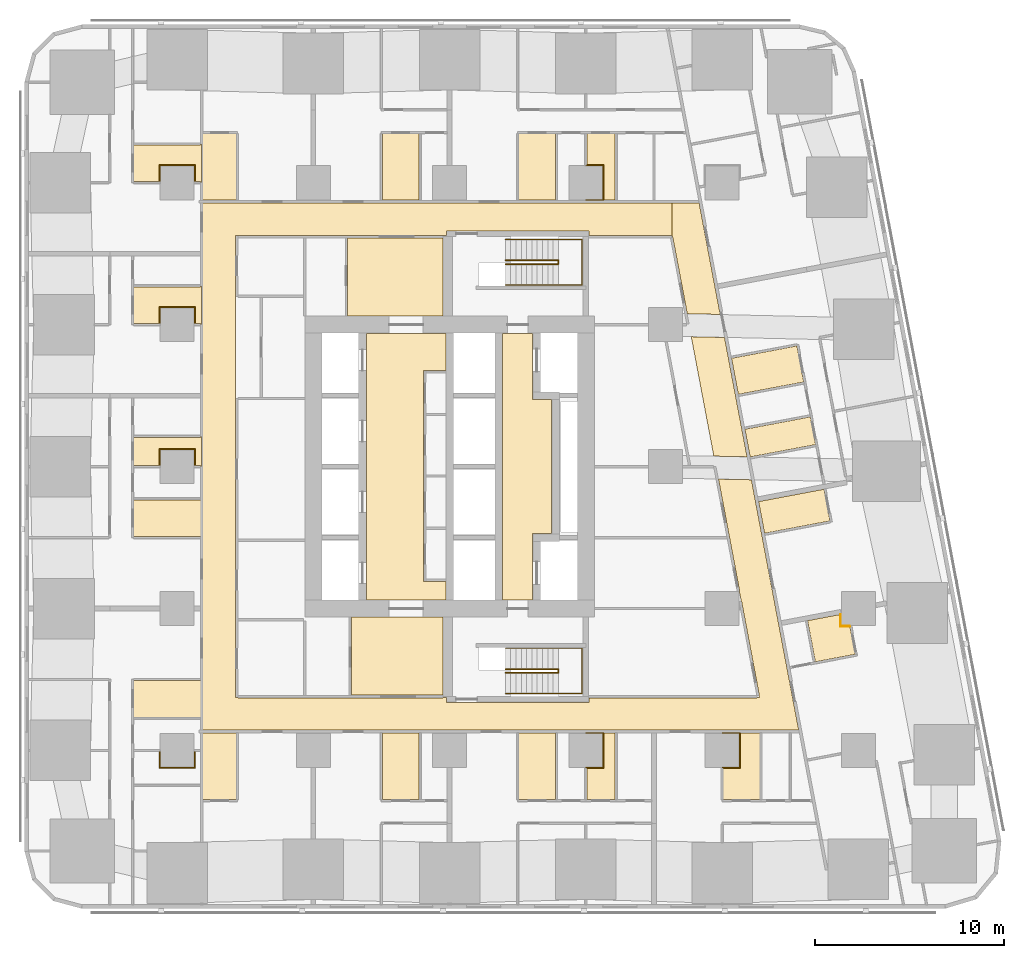
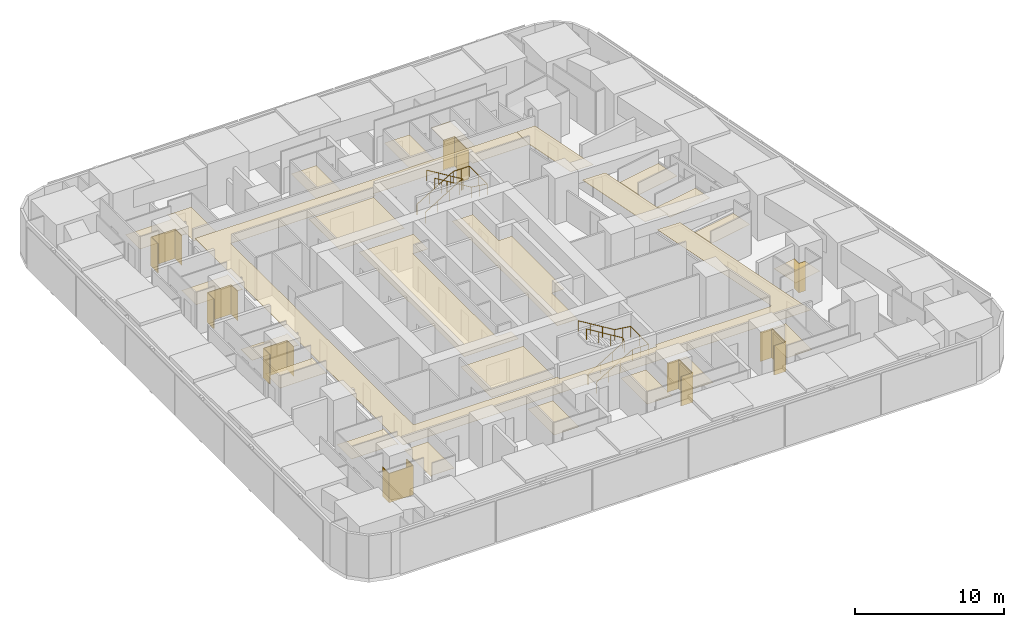
# One storey, part 17 of 18: 33 coverings, 4 railings.
"""IFC4 building model written with IfcOpenShell, lengths in metres."""

from ifc_helpers import new_model, si_unit, direction, frame, origin, origin_2d, place, context, subcontext, project, spatial, polyline, circle, outline, extrude, material, layer, layer_set, type_object, element, save


model = new_model("IFC4")

# Units and contexts
model_context = context("Model", 3, precision=1e-05, world=origin(), true_north=direction((0.0, 1.0)))
body_context = subcontext(model_context, "Body", "Model", "MODEL_VIEW")
ifc_project = project(units=[si_unit("LENGTHUNIT", "METRE"), si_unit("AREAUNIT", "SQUARE_METRE"), si_unit("VOLUMEUNIT", "CUBIC_METRE"), si_unit("PLANEANGLEUNIT", "RADIAN"), si_unit("MASSUNIT", "GRAM", prefix="KILO")], contexts=[model_context])

# Site, building, storey
site_placement = place(None, origin())
site = spatial("IfcSite", under=ifc_project, at=site_placement, CompositionType="ELEMENT")
building_placement = place(site_placement, origin())
building = spatial("IfcBuilding", under=site, at=building_placement, Name="Sheger Commons Tower", CompositionType="ELEMENT")
storey_placement = place(building_placement, frame((0.0, 0.0, 20.0)))
storey = spatial("IfcBuildingStorey", under=building, at=storey_placement, Name="L04", CompositionType="ELEMENT", Elevation=20.0)

# Railings
ifc_material_1 = material(Name="Steel handrail, black powder-coated", Category="steel")
railing_type = type_object("IfcRailingType", Name="HANDRAIL 900", PredefinedType="HANDRAIL", material=ifc_material_1)
railing_1_placement = place(storey_placement, frame((24.550048828125, 11.60009765625, 0.17041015625)))
element("IfcRailing", 1, at=railing_1_placement, inside=storey, type_object=railing_type, Name="Stair S1 handrail L04", PredefinedType="HANDRAIL", context=body_context, shape_type="SweptSolid", body=[
    extrude(circle(Radius=0.02392578125, at=origin_2d()), frame((0.0, 0.0, 0.8759765625), z_axis=(0.854169791009, 0.0, 0.51999420009), x_axis=(0.0, 1.0, 0.0)), (0.0, 0.0, 1.0), 3.278076171875),
    extrude(circle(Radius=0.02392578125, at=origin_2d()), frame((2.800048828125, 0.0, 2.58056640625), z_axis=(0.0, 0.761090297175, 0.648645943136), x_axis=(-1.0, 0.0, 0.0)), (0.0, 0.0, 1.0), 0.2626953125),
    extrude(circle(Radius=0.02392578125, at=origin_2d()), frame((2.800048828125, 0.199951171875, 2.7509765625), z_axis=(-0.854169791009, 0.0, 0.51999420009), x_axis=(0.0, -1.0, 0.0)), (0.0, 0.0, 1.0), 3.278076171875),
    extrude(circle(Radius=0.02099609375, at=origin_2d()), origin(), (0.0, 0.0, 1.0), 0.851806640625),
    extrude(circle(Radius=0.02099609375, at=origin_2d()), frame((0.933349609375, 0.0, 0.568115234375)), (0.0, 0.0, 1.0), 0.851806640625),
    extrude(circle(Radius=0.02099609375, at=origin_2d()), frame((1.86669921875, 0.0, 1.136474609375)), (0.0, 0.0, 1.0), 0.851806640625),
    extrude(circle(Radius=0.02099609375, at=origin_2d()), frame((2.800048828125, 0.0, 1.70458984375)), (0.0, 0.0, 1.0), 0.851806640625),
    extrude(circle(Radius=0.02099609375, at=origin_2d()), frame((2.800048828125, 0.199951171875, 1.875)), (0.0, 0.0, 1.0), 0.851806640625),
    extrude(circle(Radius=0.02099609375, at=origin_2d()), frame((1.86669921875, 0.199951171875, 2.443115234375)), (0.0, 0.0, 1.0), 0.851806640625),
    extrude(circle(Radius=0.02099609375, at=origin_2d()), frame((0.933349609375, 0.199951171875, 3.011474609375)), (0.0, 0.0, 1.0), 0.851806640625),
    extrude(circle(Radius=0.02099609375, at=origin_2d()), frame((0.0, 0.199951171875, 3.57958984375)), (0.0, 0.0, 1.0), 0.851806640625),
])
railing_2_placement = place(storey_placement, frame((24.550048828125, 10.5, 0.17041015625)))
element("IfcRailing", 2, at=railing_2_placement, inside=storey, type_object=railing_type, Name="Stair S1 handrail L04", PredefinedType="HANDRAIL", context=body_context, shape_type="SweptSolid", body=[
    extrude(circle(Radius=0.02392578125, at=origin_2d()), frame((0.0, 0.0, 0.8759765625), z_axis=(0.854169791009, 0.0, 0.51999420009), x_axis=(0.0, 1.0, 0.0)), (0.0, 0.0, 1.0), 3.278076171875),
    extrude(circle(Radius=0.02392578125, at=origin_2d()), frame((2.800048828125, 0.0, 2.58056640625), z_axis=(1.0, 0.0, 0.0), x_axis=(0.0, 1.0, 0.0)), (0.0, 0.0, 1.0), 1.25),
    extrude(circle(Radius=0.02392578125, at=origin_2d()), frame((4.050048828125, 0.0, 2.58056640625), z_axis=(0.0, 1.0, 0.0), x_axis=(-1.0, 0.0, 0.0)), (0.0, 0.0, 1.0), 2.39990234375),
    extrude(circle(Radius=0.02392578125, at=origin_2d()), frame((4.050048828125, 2.39990234375, 2.58056640625), z_axis=(-0.990834877927, 0.0, 0.135078661092), x_axis=(0.0, -1.0, 0.0)), (0.0, 0.0, 1.0), 1.261474609375),
    extrude(circle(Radius=0.02392578125, at=origin_2d()), frame((2.800048828125, 2.39990234375, 2.7509765625), z_axis=(-0.854169791009, 0.0, 0.51999420009), x_axis=(0.0, -1.0, 0.0)), (0.0, 0.0, 1.0), 3.278076171875),
    extrude(circle(Radius=0.02099609375, at=origin_2d()), origin(), (0.0, 0.0, 1.0), 0.851806640625),
    extrude(circle(Radius=0.02099609375, at=origin_2d()), frame((0.933349609375, 0.0, 0.568115234375)), (0.0, 0.0, 1.0), 0.851806640625),
    extrude(circle(Radius=0.02099609375, at=origin_2d()), frame((1.86669921875, 0.0, 1.136474609375)), (0.0, 0.0, 1.0), 0.851806640625),
    extrude(circle(Radius=0.02099609375, at=origin_2d()), frame((2.800048828125, 0.0, 1.70458984375)), (0.0, 0.0, 1.0), 0.851806640625),
    extrude(circle(Radius=0.02099609375, at=origin_2d()), frame((3.425048828125, 0.0, 1.70458984375)), (0.0, 0.0, 1.0), 0.851806640625),
    extrude(circle(Radius=0.02099609375, at=origin_2d()), frame((4.050048828125, 0.0, 1.70458984375)), (0.0, 0.0, 1.0), 0.851806640625),
    extrude(circle(Radius=0.02099609375, at=origin_2d()), frame((4.050048828125, 1.199951171875, 1.70458984375)), (0.0, 0.0, 1.0), 0.851806640625),
    extrude(circle(Radius=0.02099609375, at=origin_2d()), frame((4.050048828125, 2.39990234375, 1.70458984375)), (0.0, 0.0, 1.0), 0.851806640625),
    extrude(circle(Radius=0.02099609375, at=origin_2d()), frame((3.425048828125, 2.39990234375, 1.789794921875)), (0.0, 0.0, 1.0), 0.851806640625),
    extrude(circle(Radius=0.02099609375, at=origin_2d()), frame((2.800048828125, 2.39990234375, 1.875)), (0.0, 0.0, 1.0), 0.851806640625),
    extrude(circle(Radius=0.02099609375, at=origin_2d()), frame((1.86669921875, 2.39990234375, 2.443115234375)), (0.0, 0.0, 1.0), 0.851806640625),
    extrude(circle(Radius=0.02099609375, at=origin_2d()), frame((0.933349609375, 2.39990234375, 3.011474609375)), (0.0, 0.0, 1.0), 0.851806640625),
    extrude(circle(Radius=0.02099609375, at=origin_2d()), frame((0.0, 2.39990234375, 3.57958984375)), (0.0, 0.0, 1.0), 0.851806640625),
])
railing_3_placement = place(storey_placement, frame((24.550048828125, 33.39990234375, 0.17041015625)))
element("IfcRailing", 3, at=railing_3_placement, inside=storey, type_object=railing_type, Name="Stair S2 handrail L04", PredefinedType="HANDRAIL", context=body_context, shape_type="SweptSolid", body=[
    extrude(circle(Radius=0.02392578125, at=origin_2d()), frame((0.0, 0.0, 0.8759765625), z_axis=(0.854169791009, 0.0, 0.51999420009), x_axis=(0.0, 1.0, 0.0)), (0.0, 0.0, 1.0), 3.278076171875),
    extrude(circle(Radius=0.02392578125, at=origin_2d()), frame((2.800048828125, 0.0, 2.58056640625), z_axis=(0.0, -0.761090297175, 0.648645943136), x_axis=(1.0, 0.0, 0.0)), (0.0, 0.0, 1.0), 0.2626953125),
    extrude(circle(Radius=0.02392578125, at=origin_2d()), frame((2.800048828125, -0.199951171875, 2.7509765625), z_axis=(-0.854169791009, 0.0, 0.51999420009), x_axis=(0.0, -1.0, 0.0)), (0.0, 0.0, 1.0), 3.278076171875),
    extrude(circle(Radius=0.02099609375, at=origin_2d()), origin(), (0.0, 0.0, 1.0), 0.851806640625),
    extrude(circle(Radius=0.02099609375, at=origin_2d()), frame((0.933349609375, 0.0, 0.568115234375)), (0.0, 0.0, 1.0), 0.851806640625),
    extrude(circle(Radius=0.02099609375, at=origin_2d()), frame((1.86669921875, 0.0, 1.136474609375)), (0.0, 0.0, 1.0), 0.851806640625),
    extrude(circle(Radius=0.02099609375, at=origin_2d()), frame((2.800048828125, 0.0, 1.70458984375)), (0.0, 0.0, 1.0), 0.851806640625),
    extrude(circle(Radius=0.02099609375, at=origin_2d()), frame((2.800048828125, -0.199951171875, 1.875)), (0.0, 0.0, 1.0), 0.851806640625),
    extrude(circle(Radius=0.02099609375, at=origin_2d()), frame((1.86669921875, -0.199951171875, 2.443115234375)), (0.0, 0.0, 1.0), 0.851806640625),
    extrude(circle(Radius=0.02099609375, at=origin_2d()), frame((0.933349609375, -0.199951171875, 3.011474609375)), (0.0, 0.0, 1.0), 0.851806640625),
    extrude(circle(Radius=0.02099609375, at=origin_2d()), frame((0.0, -0.199951171875, 3.57958984375)), (0.0, 0.0, 1.0), 0.851806640625),
])
railing_4_placement = place(storey_placement, frame((24.550048828125, 34.5, 0.17041015625)))
element("IfcRailing", 4, at=railing_4_placement, inside=storey, type_object=railing_type, Name="Stair S2 handrail L04", PredefinedType="HANDRAIL", context=body_context, shape_type="SweptSolid", body=[
    extrude(circle(Radius=0.02392578125, at=origin_2d()), frame((0.0, 0.0, 0.8759765625), z_axis=(0.854169791009, 0.0, 0.51999420009), x_axis=(0.0, 1.0, 0.0)), (0.0, 0.0, 1.0), 3.278076171875),
    extrude(circle(Radius=0.02392578125, at=origin_2d()), frame((2.800048828125, 0.0, 2.58056640625), z_axis=(1.0, 0.0, 0.0), x_axis=(0.0, 1.0, 0.0)), (0.0, 0.0, 1.0), 1.25),
    extrude(circle(Radius=0.02392578125, at=origin_2d()), frame((4.050048828125, 0.0, 2.58056640625), z_axis=(0.0, -1.0, 0.0), x_axis=(1.0, 0.0, 0.0)), (0.0, 0.0, 1.0), 2.39990234375),
    extrude(circle(Radius=0.02392578125, at=origin_2d()), frame((4.050048828125, -2.39990234375, 2.58056640625), z_axis=(-0.990834877927, 0.0, 0.135078661092), x_axis=(0.0, -1.0, 0.0)), (0.0, 0.0, 1.0), 1.261474609375),
    extrude(circle(Radius=0.02392578125, at=origin_2d()), frame((2.800048828125, -2.39990234375, 2.7509765625), z_axis=(-0.854169791009, 0.0, 0.51999420009), x_axis=(0.0, -1.0, 0.0)), (0.0, 0.0, 1.0), 3.278076171875),
    extrude(circle(Radius=0.02099609375, at=origin_2d()), origin(), (0.0, 0.0, 1.0), 0.851806640625),
    extrude(circle(Radius=0.02099609375, at=origin_2d()), frame((0.933349609375, 0.0, 0.568115234375)), (0.0, 0.0, 1.0), 0.851806640625),
    extrude(circle(Radius=0.02099609375, at=origin_2d()), frame((1.86669921875, 0.0, 1.136474609375)), (0.0, 0.0, 1.0), 0.851806640625),
    extrude(circle(Radius=0.02099609375, at=origin_2d()), frame((2.800048828125, 0.0, 1.70458984375)), (0.0, 0.0, 1.0), 0.851806640625),
    extrude(circle(Radius=0.02099609375, at=origin_2d()), frame((3.425048828125, 0.0, 1.70458984375)), (0.0, 0.0, 1.0), 0.851806640625),
    extrude(circle(Radius=0.02099609375, at=origin_2d()), frame((4.050048828125, 0.0, 1.70458984375)), (0.0, 0.0, 1.0), 0.851806640625),
    extrude(circle(Radius=0.02099609375, at=origin_2d()), frame((4.050048828125, -1.199951171875, 1.70458984375)), (0.0, 0.0, 1.0), 0.851806640625),
    extrude(circle(Radius=0.02099609375, at=origin_2d()), frame((4.050048828125, -2.39990234375, 1.70458984375)), (0.0, 0.0, 1.0), 0.851806640625),
    extrude(circle(Radius=0.02099609375, at=origin_2d()), frame((3.425048828125, -2.39990234375, 1.789794921875)), (0.0, 0.0, 1.0), 0.851806640625),
    extrude(circle(Radius=0.02099609375, at=origin_2d()), frame((2.800048828125, -2.39990234375, 1.875)), (0.0, 0.0, 1.0), 0.851806640625),
    extrude(circle(Radius=0.02099609375, at=origin_2d()), frame((1.86669921875, -2.39990234375, 2.443115234375)), (0.0, 0.0, 1.0), 0.851806640625),
    extrude(circle(Radius=0.02099609375, at=origin_2d()), frame((0.933349609375, -2.39990234375, 3.011474609375)), (0.0, 0.0, 1.0), 0.851806640625),
    extrude(circle(Radius=0.02099609375, at=origin_2d()), frame((0.0, -2.39990234375, 3.57958984375)), (0.0, 0.0, 1.0), 0.851806640625),
])

# Coverings
ifc_material_2 = material(Name="Moisture-resistant gypsum plasterboard 15 mm on a suspended galvanised steel grid", Category="steel")
ifc_layer_1 = layer(ifc_material_2, 0.014892578125)
ifc_layer_set_1 = layer_set([ifc_layer_1], Name="MOISTURE-RESISTANT CEILING 15")
covering_type_1 = type_object("IfcCoveringType", Name="MOISTURE-RESISTANT CEILING 15", PredefinedType="CEILING", material=ifc_layer_set_1)
covering_1_placement = place(storey_placement, frame((0.0, 0.0, 2.39990234375)))
element("IfcCovering", 5, at=covering_1_placement, inside=storey, type_object=covering_type_1, Name="L04-01.B1 ceiling", PredefinedType="CEILING", context=body_context, shape_type="SweptSolid", body=[
    extrude(outline(polyline([(8.429931640625, 9.199951171875), (8.5, 9.199951171875), (8.5, 11.25), (8.429931640625, 11.25), (8.429931640625, 11.195068359375), (4.905029296875, 11.195068359375), (4.905029296875, 9.2548828125), (8.429931640625, 9.2548828125), (8.429931640625, 9.199951171875)])), origin(), (0.0, 0.0, 1.0), 0.01513671875),
])
covering_2_placement = place(storey_placement, frame((0.0, 0.0, 2.39990234375)))
element("IfcCovering", 6, at=covering_2_placement, inside=storey, type_object=covering_type_1, Name="L04-02.B1 ceiling", PredefinedType="CEILING", context=body_context, shape_type="SweptSolid", body=[
    extrude(outline(polyline([(8.429931640625, 18.75), (8.5, 18.75), (8.5, 20.800048828125), (8.429931640625, 20.800048828125), (8.429931640625, 20.7451171875), (4.905029296875, 20.7451171875), (4.905029296875, 18.804931640625), (8.429931640625, 18.804931640625), (8.429931640625, 18.75)])), origin(), (0.0, 0.0, 1.0), 0.01513671875),
])
covering_3_placement = place(storey_placement, frame((0.0, 0.0, 2.39990234375)))
element("IfcCovering", 7, at=covering_3_placement, inside=storey, type_object=covering_type_1, Name="L04-02.B2 ceiling", PredefinedType="CEILING", context=body_context, shape_type="SweptSolid", body=[
    extrude(outline(polyline([(8.429931640625, 22.5), (8.5, 22.5), (8.5, 24.10009765625), (8.429931640625, 24.10009765625), (8.429931640625, 24.044921875), (4.905029296875, 24.044921875), (4.905029296875, 22.554931640625), (6.294921875, 22.554931640625), (6.294921875, 23.405029296875), (8.10498046875, 23.405029296875), (8.10498046875, 22.554931640625), (8.429931640625, 22.554931640625), (8.429931640625, 22.5)])), origin(), (0.0, 0.0, 1.0), 0.01513671875),
])
covering_4_placement = place(storey_placement, frame((0.0, 0.0, 2.39990234375)))
element("IfcCovering", 8, at=covering_4_placement, inside=storey, type_object=covering_type_1, Name="L04-03.B1 ceiling", PredefinedType="CEILING", context=body_context, shape_type="SweptSolid", body=[
    extrude(outline(polyline([(8.429931640625, 30.0), (8.5, 30.0), (8.5, 32.050048828125), (8.429931640625, 32.050048828125), (8.429931640625, 31.9951171875), (4.905029296875, 31.9951171875), (4.905029296875, 30.054931640625), (6.294921875, 30.054931640625), (6.294921875, 30.905029296875), (8.10498046875, 30.905029296875), (8.10498046875, 30.054931640625), (8.429931640625, 30.054931640625), (8.429931640625, 30.0)])), origin(), (0.0, 0.0, 1.0), 0.01513671875),
])
covering_5_placement = place(storey_placement, frame((0.0, 0.0, 2.39990234375)))
element("IfcCovering", 9, at=covering_5_placement, inside=storey, type_object=covering_type_1, Name="L04-04.B1 ceiling", PredefinedType="CEILING", context=body_context, shape_type="SweptSolid", body=[
    extrude(outline(polyline([(8.429931640625, 37.5), (8.5, 37.5), (8.5, 39.550048828125), (8.429931640625, 39.550048828125), (8.429931640625, 39.4951171875), (4.905029296875, 39.4951171875), (4.905029296875, 37.554931640625), (6.294921875, 37.554931640625), (6.294921875, 38.405029296875), (8.10498046875, 38.405029296875), (8.10498046875, 37.554931640625), (8.429931640625, 37.554931640625), (8.429931640625, 37.5)])), origin(), (0.0, 0.0, 1.0), 0.01513671875),
])
covering_6_placement = place(storey_placement, frame((0.0, 0.0, 2.39990234375)))
element("IfcCovering", 10, at=covering_6_placement, inside=storey, type_object=covering_type_1, Name="L04-05.B1 ceiling", PredefinedType="CEILING", context=body_context, shape_type="SweptSolid", body=[
    extrude(outline(polyline([(8.5, 4.85009765625), (8.570068359375, 4.85009765625), (8.570068359375, 4.905029296875), (10.3349609375, 4.905029296875), (10.3349609375, 8.419921875), (8.5, 8.419921875), (8.5, 4.85009765625)])), origin(), (0.0, 0.0, 1.0), 0.01513671875),
])
covering_7_placement = place(storey_placement, frame((0.0, 0.0, 2.39990234375)))
element("IfcCovering", 11, at=covering_7_placement, inside=storey, type_object=covering_type_1, Name="L04-06.B1 ceiling", PredefinedType="CEILING", context=body_context, shape_type="SweptSolid", body=[
    extrude(outline(polyline([(18.054931640625, 4.905029296875), (19.9951171875, 4.905029296875), (19.9951171875, 8.419921875), (18.054931640625, 8.419921875), (18.054931640625, 4.905029296875)])), origin(), (0.0, 0.0, 1.0), 0.01513671875),
])
covering_8_placement = place(storey_placement, frame((0.0, 0.0, 2.39990234375)))
element("IfcCovering", 12, at=covering_8_placement, inside=storey, type_object=covering_type_1, Name="L04-07.B1 ceiling", PredefinedType="CEILING", context=body_context, shape_type="SweptSolid", body=[
    extrude(outline(polyline([(25.2548828125, 4.905029296875), (27.195068359375, 4.905029296875), (27.195068359375, 8.419921875), (25.2548828125, 8.419921875), (25.2548828125, 4.905029296875)])), origin(), (0.0, 0.0, 1.0), 0.01513671875),
])
covering_9_placement = place(storey_placement, frame((0.0, 0.0, 2.39990234375)))
element("IfcCovering", 13, at=covering_9_placement, inside=storey, type_object=covering_type_1, Name="L04-07.B2 ceiling", PredefinedType="CEILING", context=body_context, shape_type="SweptSolid", body=[
    extrude(outline(polyline([(28.85498046875, 4.905029296875), (30.344970703125, 4.905029296875), (30.344970703125, 8.419921875), (28.800048828125, 8.419921875), (28.800048828125, 8.405029296875), (29.705078125, 8.405029296875), (29.705078125, 6.594970703125), (28.85498046875, 6.594970703125), (28.85498046875, 4.905029296875)])), origin(), (0.0, 0.0, 1.0), 0.01513671875),
])
covering_10_placement = place(storey_placement, frame((0.0, 0.0, 2.39990234375)))
element("IfcCovering", 14, at=covering_10_placement, inside=storey, type_object=covering_type_1, Name="L04-08.B1 ceiling", PredefinedType="CEILING", context=body_context, shape_type="SweptSolid", body=[
    extrude(outline(polyline([(36.054931640625, 4.905029296875), (37.9951171875, 4.905029296875), (37.9951171875, 8.419921875), (36.0, 8.419921875), (36.0, 8.405029296875), (36.905029296875, 8.405029296875), (36.905029296875, 6.594970703125), (36.054931640625, 6.594970703125), (36.054931640625, 4.905029296875)])), origin(), (0.0, 0.0, 1.0), 0.01513671875),
])
covering_11_placement = place(storey_placement, frame((0.0, 0.0, 2.39990234375)))
element("IfcCovering", 15, at=covering_11_placement, inside=storey, type_object=covering_type_1, Name="L04-10.B1 ceiling", PredefinedType="CEILING", context=body_context, shape_type="SweptSolid", body=[
    extrude(outline(polyline([(36.860107421875, 26.319091796875), (40.31298828125, 26.970947265625), (39.952880859375, 28.8779296875), (36.5, 28.22509765625), (36.860107421875, 26.319091796875)])), origin(), (0.0, 0.0, 1.0), 0.01513671875),
])
covering_12_placement = place(storey_placement, frame((0.0, 0.0, 2.39990234375)))
element("IfcCovering", 16, at=covering_12_placement, inside=storey, type_object=covering_type_1, Name="L04-10.B2 ceiling", PredefinedType="CEILING", context=body_context, shape_type="SweptSolid", body=[
    extrude(outline(polyline([(37.485107421875, 23.010986328125), (40.93896484375, 23.6630859375), (40.662109375, 25.1279296875), (37.2080078125, 24.47509765625), (37.485107421875, 23.010986328125)])), origin(), (0.0, 0.0, 1.0), 0.01513671875),
])
covering_13_placement = place(storey_placement, frame((0.0, 0.0, 2.39990234375)))
element("IfcCovering", 17, at=covering_13_placement, inside=storey, type_object=covering_type_1, Name="L04-11.B1 ceiling", PredefinedType="CEILING", context=body_context, shape_type="SweptSolid", body=[
    extrude(outline(polyline([(38.2470703125, 18.97607421875), (41.700927734375, 19.62890625), (41.384033203125, 21.303955078125), (37.929931640625, 20.652099609375), (38.2470703125, 18.97607421875)])), origin(), (0.0, 0.0, 1.0), 0.01513671875),
])
covering_14_placement = place(storey_placement, frame((0.0, 0.0, 2.39990234375)))
element("IfcCovering", 18, at=covering_14_placement, inside=storey, type_object=covering_type_1, Name="L04-12.B1 ceiling", PredefinedType="CEILING", context=body_context, shape_type="SweptSolid", body=[
    extrude(outline(polyline([(40.875, 12.174072265625), (43.031982421875, 12.58203125), (42.7490234375, 14.080078125), (42.280029296875, 14.080078125), (42.280029296875, 14.693115234375), (40.51806640625, 14.360107421875), (40.925048828125, 12.2060546875), (40.87109375, 12.196044921875), (40.875, 12.174072265625)])), origin(), (0.0, 0.0, 1.0), 0.01513671875),
])
covering_15_placement = place(storey_placement, frame((0.0, 0.0, 2.39990234375)))
element("IfcCovering", 19, at=covering_15_placement, inside=storey, type_object=covering_type_1, Name="L04-13.B1 ceiling", PredefinedType="CEILING", context=body_context, shape_type="SweptSolid", body=[
    extrude(outline(polyline([(8.5, 36.580078125), (10.3349609375, 36.580078125), (10.3349609375, 40.094970703125), (8.570068359375, 40.094970703125), (8.570068359375, 40.14990234375), (8.5, 40.14990234375), (8.5, 36.580078125)])), origin(), (0.0, 0.0, 1.0), 0.01513671875),
])
covering_16_placement = place(storey_placement, frame((0.0, 0.0, 2.39990234375)))
element("IfcCovering", 20, at=covering_16_placement, inside=storey, type_object=covering_type_1, Name="L04-14.B1 ceiling", PredefinedType="CEILING", context=body_context, shape_type="SweptSolid", body=[
    extrude(outline(polyline([(18.054931640625, 36.580078125), (19.9951171875, 36.580078125), (19.9951171875, 40.094970703125), (18.054931640625, 40.094970703125), (18.054931640625, 36.580078125)])), origin(), (0.0, 0.0, 1.0), 0.01513671875),
])
covering_17_placement = place(storey_placement, frame((0.0, 0.0, 2.39990234375)))
element("IfcCovering", 21, at=covering_17_placement, inside=storey, type_object=covering_type_1, Name="L04-15.B1 ceiling", PredefinedType="CEILING", context=body_context, shape_type="SweptSolid", body=[
    extrude(outline(polyline([(25.2548828125, 36.580078125), (27.195068359375, 36.580078125), (27.195068359375, 40.094970703125), (25.2548828125, 40.094970703125), (25.2548828125, 36.580078125)])), origin(), (0.0, 0.0, 1.0), 0.01513671875),
])
covering_18_placement = place(storey_placement, frame((0.0, 0.0, 2.39990234375)))
element("IfcCovering", 22, at=covering_18_placement, inside=storey, type_object=covering_type_1, Name="L04-15.B2 ceiling", PredefinedType="CEILING", context=body_context, shape_type="SweptSolid", body=[
    extrude(outline(polyline([(28.800048828125, 36.580078125), (30.344970703125, 36.580078125), (30.344970703125, 40.094970703125), (28.85498046875, 40.094970703125), (28.85498046875, 38.405029296875), (29.705078125, 38.405029296875), (29.705078125, 36.594970703125), (28.800048828125, 36.594970703125), (28.800048828125, 36.580078125)])), origin(), (0.0, 0.0, 1.0), 0.01513671875),
])
ifc_material_3 = material(Name="Gypsum plasterboard 15 mm on a suspended steel grid", Category="steel")
ifc_layer_2 = layer(ifc_material_3, 0.014892578125)
ifc_layer_set_2 = layer_set([ifc_layer_2], Name="SUSPENDED CEILING 15")
covering_type_2 = type_object("IfcCoveringType", Name="SUSPENDED CEILING 15", PredefinedType="CEILING", material=ifc_layer_set_2)
covering_19_placement = place(storey_placement, frame((0.0, 0.0, 2.699951171875)))
element("IfcCovering", 23, at=covering_19_placement, inside=storey, type_object=covering_type_2, Name="L04-CO ceiling", PredefinedType="CEILING", context=body_context, shape_type="SweptSolid", body=[
    extrude(outline(polyline([(8.5, 8.580078125), (40.048095703125, 8.580078125), (37.550048828125, 21.802978515625), (35.81103515625, 21.837890625), (36.927978515625, 15.9208984375), (36.910888671875, 15.9169921875), (37.010009765625, 15.39501953125), (37.027099609375, 15.39794921875), (37.967041015625, 10.4208984375), (37.949951171875, 10.4169921875), (37.971923828125, 10.300048828125), (37.841064453125, 10.300048828125), (37.841064453125, 10.281982421875), (28.955078125, 10.281982421875), (28.955078125, 10.044921875), (21.445068359375, 10.044921875), (21.445068359375, 10.300048828125), (21.2548828125, 10.300048828125), (21.2548828125, 10.281982421875), (10.407958984375, 10.281982421875), (10.407958984375, 10.294921875), (10.281982421875, 10.294921875), (10.281982421875, 26.10498046875), (10.300048828125, 26.10498046875), (10.300048828125, 31.4951171875), (10.281982421875, 31.4951171875), (10.281982421875, 34.705078125), (10.407958984375, 34.705078125), (10.407958984375, 34.718017578125), (21.2548828125, 34.718017578125), (21.2548828125, 34.699951171875), (21.445068359375, 34.699951171875), (21.445068359375, 34.955078125), (28.955078125, 34.955078125), (28.955078125, 34.718017578125), (33.3359375, 34.718017578125), (33.3359375, 34.699951171875), (33.361083984375, 34.699951171875), (33.361083984375, 36.419921875), (8.5, 36.419921875), (8.5, 8.580078125)])), origin(), (0.0, 0.0, 1.0), 0.01513671875),
])
covering_20_placement = place(storey_placement, frame((0.0, 0.0, 2.699951171875)))
element("IfcCovering", 24, at=covering_20_placement, inside=storey, type_object=covering_type_2, Name="L04-CO ceiling", PredefinedType="CEILING", context=body_context, shape_type="SweptSolid", body=[
    extrude(outline(polyline([(37.321044921875, 23.01806640625), (36.12890625, 29.323974609375), (34.37109375, 29.364013671875), (35.56298828125, 23.052978515625), (37.321044921875, 23.01806640625)])), origin(), (0.0, 0.0, 1.0), 0.01513671875),
])
covering_21_placement = place(storey_placement, frame((0.0, 0.0, 2.699951171875)))
element("IfcCovering", 25, at=covering_21_placement, inside=storey, type_object=covering_type_2, Name="L04-CO ceiling", PredefinedType="CEILING", context=body_context, shape_type="SweptSolid", body=[
    extrude(outline(polyline([(35.89990234375, 30.5400390625), (34.77392578125, 36.5), (34.77001953125, 36.5), (34.77001953125, 36.419921875), (33.365966796875, 36.419921875), (33.365966796875, 34.699951171875), (33.365966796875, 34.697998046875), (33.364013671875, 34.697998046875), (33.382080078125, 34.60205078125), (33.39892578125, 34.60498046875), (34.159912109375, 30.5791015625), (35.89990234375, 30.5400390625)])), origin(), (0.0, 0.0, 1.0), 0.01513671875),
])
covering_22_placement = place(storey_placement, frame((0.0, 0.0, 2.699951171875)))
element("IfcCovering", 26, at=covering_22_placement, inside=storey, type_object=covering_type_2, Name="L04-SVS1 ceiling", PredefinedType="CEILING", context=body_context, shape_type="SweptSolid", body=[
    extrude(outline(polyline([(16.406982421875, 10.41796875), (21.2451171875, 10.41796875), (21.2451171875, 14.544921875), (16.406982421875, 14.544921875), (16.406982421875, 10.41796875)])), origin(), (0.0, 0.0, 1.0), 0.01513671875),
])
covering_23_placement = place(storey_placement, frame((0.0, 0.0, 2.699951171875)))
element("IfcCovering", 27, at=covering_23_placement, inside=storey, type_object=covering_type_2, Name="L04-SVN1 ceiling", PredefinedType="CEILING", context=body_context, shape_type="SweptSolid", body=[
    extrude(outline(polyline([(16.217041015625, 30.455078125), (21.2451171875, 30.455078125), (21.2451171875, 34.58203125), (16.217041015625, 34.58203125), (16.217041015625, 30.455078125)])), origin(), (0.0, 0.0, 1.0), 0.01513671875),
])
covering_24_placement = place(storey_placement, frame((0.0, 0.0, 2.699951171875)))
element("IfcCovering", 28, at=covering_24_placement, inside=storey, type_object=covering_type_2, Name="L04-LL ceiling", PredefinedType="CEILING", context=body_context, shape_type="SweptSolid", body=[
    extrude(outline(polyline([(17.205078125, 15.455078125), (21.39990234375, 15.455078125), (21.39990234375, 16.43310546875), (20.35791015625, 16.43310546875), (20.23291015625, 16.43310546875), (20.23291015625, 27.56689453125), (20.35791015625, 27.56689453125), (21.39990234375, 27.56689453125), (21.39990234375, 29.544921875), (17.205078125, 29.544921875), (17.205078125, 15.455078125)])), origin(), (0.0, 0.0, 1.0), 0.01513671875),
])
covering_25_placement = place(storey_placement, frame((0.0, 0.0, 2.699951171875)))
element("IfcCovering", 29, at=covering_25_placement, inside=storey, type_object=covering_type_2, Name="L04-FL ceiling", PredefinedType="CEILING", context=body_context, shape_type="SweptSolid", body=[
    extrude(outline(polyline([(24.405029296875, 15.455078125), (25.9951171875, 15.455078125), (25.9951171875, 18.955078125), (26.9951171875, 18.955078125), (26.9951171875, 26.044921875), (25.9951171875, 26.044921875), (25.9951171875, 29.544921875), (24.405029296875, 29.544921875), (24.405029296875, 15.455078125)])), origin(), (0.0, 0.0, 1.0), 0.01513671875),
])
ifc_material_4 = material(Name="Moisture-resistant gypsum board 12.5 mm on 25 mm treated timber battens, tanked and tiled", Category="wood")
ifc_layer_3 = layer(ifc_material_4, 0.050048828125)
ifc_layer_set_3 = layer_set([ifc_layer_3], Name="WET-ROOM COLUMN LINING")
covering_type_3 = type_object("IfcCoveringType", Name="WET-ROOM COLUMN LINING", PredefinedType="CLADDING", material=ifc_layer_set_3)
covering_26_placement = place(storey_placement, origin())
element("IfcCovering", 30, at=covering_26_placement, inside=storey, type_object=covering_type_3, Name="Laundry room column lining C8 L04", PredefinedType="CLADDING", context=body_context, shape_type="SweptSolid", body=[
    extrude(outline(polyline([(6.300048828125, 7.5), (6.300048828125, 6.60009765625), (8.10009765625, 6.60009765625), (8.10009765625, 7.5), (8.10107421875, 7.5), (8.10107421875, 7.449951171875), (8.14990234375, 7.449951171875), (8.14990234375, 6.550048828125), (6.25, 6.550048828125), (6.25, 7.449951171875), (6.299072265625, 7.449951171875), (6.299072265625, 7.5), (6.300048828125, 7.5)])), origin(), (0.0, 0.0, 1.0), 2.39990234375),
])
covering_27_placement = place(storey_placement, origin())
element("IfcCovering", 31, at=covering_27_placement, inside=storey, type_object=covering_type_3, Name="Shower room column lining C8 L04", PredefinedType="CLADDING", context=body_context, shape_type="SweptSolid", body=[
    extrude(outline(polyline([(29.75, 6.550048828125), (28.85009765625, 6.550048828125), (28.85009765625, 6.59912109375), (28.800048828125, 6.59912109375), (28.800048828125, 6.60009765625), (29.699951171875, 6.60009765625), (29.699951171875, 8.39990234375), (28.800048828125, 8.39990234375), (28.800048828125, 8.425048828125), (29.75, 8.425048828125), (29.75, 6.550048828125)])), origin(), (0.0, 0.0, 1.0), 2.39990234375),
])
covering_28_placement = place(storey_placement, origin())
element("IfcCovering", 32, at=covering_28_placement, inside=storey, type_object=covering_type_3, Name="Bathroom column lining C8 L04", PredefinedType="CLADDING", context=body_context, shape_type="SweptSolid", body=[
    extrude(outline(polyline([(36.949951171875, 6.550048828125), (36.050048828125, 6.550048828125), (36.050048828125, 6.59912109375), (36.0, 6.59912109375), (36.0, 6.60009765625), (36.89990234375, 6.60009765625), (36.89990234375, 8.39990234375), (36.0, 8.39990234375), (36.0, 8.425048828125), (36.949951171875, 8.425048828125), (36.949951171875, 6.550048828125)])), origin(), (0.0, 0.0, 1.0), 2.39990234375),
])
covering_29_placement = place(storey_placement, origin())
element("IfcCovering", 33, at=covering_29_placement, inside=storey, type_object=covering_type_3, Name="Shower room column lining C8 L04", PredefinedType="CLADDING", context=body_context, shape_type="SweptSolid", body=[
    extrude(outline(polyline([(42.280029296875, 14.080078125), (42.75390625, 14.080078125), (42.760009765625, 14.050048828125), (42.25, 14.050048828125), (42.25, 14.693115234375), (42.280029296875, 14.698974609375), (42.280029296875, 14.080078125)])), origin(), (0.0, 0.0, 1.0), 2.39990234375),
])
covering_30_placement = place(storey_placement, origin())
element("IfcCovering", 34, at=covering_30_placement, inside=storey, type_object=covering_type_3, Name="Shower room column lining C8 L04", PredefinedType="CLADDING", context=body_context, shape_type="SweptSolid", body=[
    extrude(outline(polyline([(8.14990234375, 23.449951171875), (8.14990234375, 22.550048828125), (8.10107421875, 22.550048828125), (8.10107421875, 22.5), (8.10009765625, 22.5), (8.10009765625, 23.39990234375), (6.300048828125, 23.39990234375), (6.300048828125, 22.5), (6.299072265625, 22.5), (6.299072265625, 22.550048828125), (6.25, 22.550048828125), (6.25, 23.449951171875), (8.14990234375, 23.449951171875)])), origin(), (0.0, 0.0, 1.0), 2.39990234375),
])
covering_31_placement = place(storey_placement, origin())
element("IfcCovering", 35, at=covering_31_placement, inside=storey, type_object=covering_type_3, Name="Bathroom column lining C8 L04", PredefinedType="CLADDING", context=body_context, shape_type="SweptSolid", body=[
    extrude(outline(polyline([(8.14990234375, 30.949951171875), (8.14990234375, 30.050048828125), (8.10107421875, 30.050048828125), (8.10107421875, 30.0), (8.10009765625, 30.0), (8.10009765625, 30.89990234375), (6.300048828125, 30.89990234375), (6.300048828125, 30.0), (6.299072265625, 30.0), (6.299072265625, 30.050048828125), (6.25, 30.050048828125), (6.25, 30.949951171875), (8.14990234375, 30.949951171875)])), origin(), (0.0, 0.0, 1.0), 2.39990234375),
])
covering_32_placement = place(storey_placement, origin())
element("IfcCovering", 36, at=covering_32_placement, inside=storey, type_object=covering_type_3, Name="Bathroom column lining C8 L04", PredefinedType="CLADDING", context=body_context, shape_type="SweptSolid", body=[
    extrude(outline(polyline([(8.14990234375, 38.449951171875), (8.14990234375, 37.550048828125), (8.10107421875, 37.550048828125), (8.10107421875, 37.5), (8.10009765625, 37.5), (8.10009765625, 38.39990234375), (6.300048828125, 38.39990234375), (6.300048828125, 37.5), (6.299072265625, 37.5), (6.299072265625, 37.550048828125), (6.25, 37.550048828125), (6.25, 38.449951171875), (8.14990234375, 38.449951171875)])), origin(), (0.0, 0.0, 1.0), 2.39990234375),
])
covering_33_placement = place(storey_placement, origin())
element("IfcCovering", 37, at=covering_33_placement, inside=storey, type_object=covering_type_3, Name="Shower room column lining C8 L04", PredefinedType="CLADDING", context=body_context, shape_type="SweptSolid", body=[
    extrude(outline(polyline([(29.75, 36.574951171875), (28.800048828125, 36.574951171875), (28.800048828125, 36.60009765625), (29.699951171875, 36.60009765625), (29.699951171875, 38.39990234375), (28.800048828125, 38.39990234375), (28.800048828125, 38.40087890625), (28.85009765625, 38.40087890625), (28.85009765625, 38.449951171875), (29.75, 38.449951171875), (29.75, 36.574951171875)])), origin(), (0.0, 0.0, 1.0), 2.39990234375),
])

save(model, "model.ifc")
